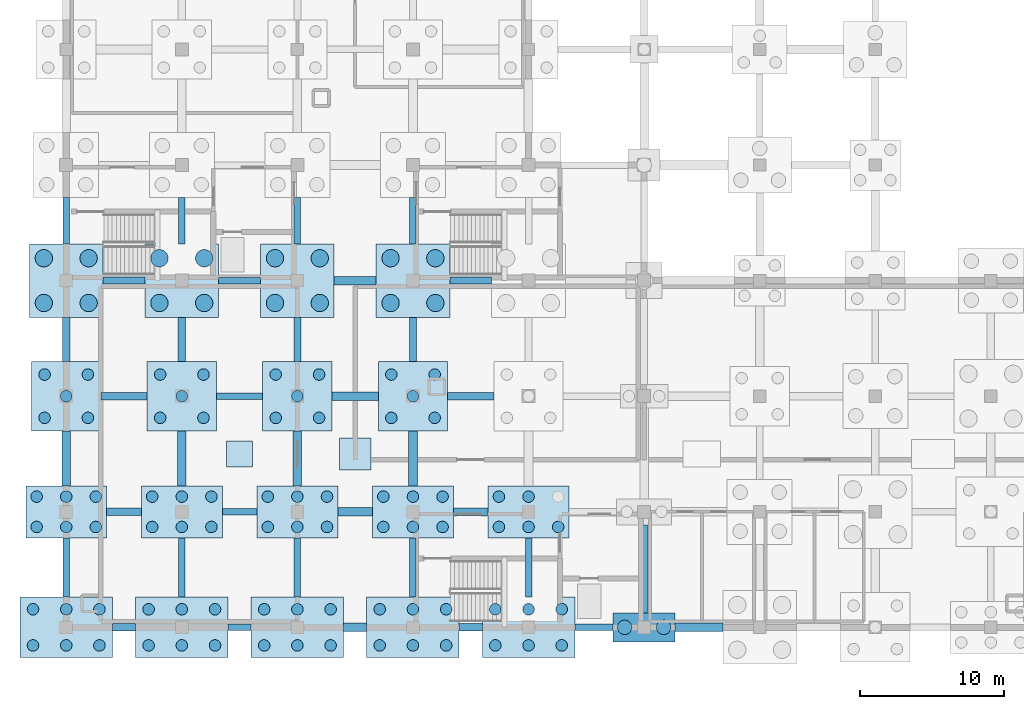
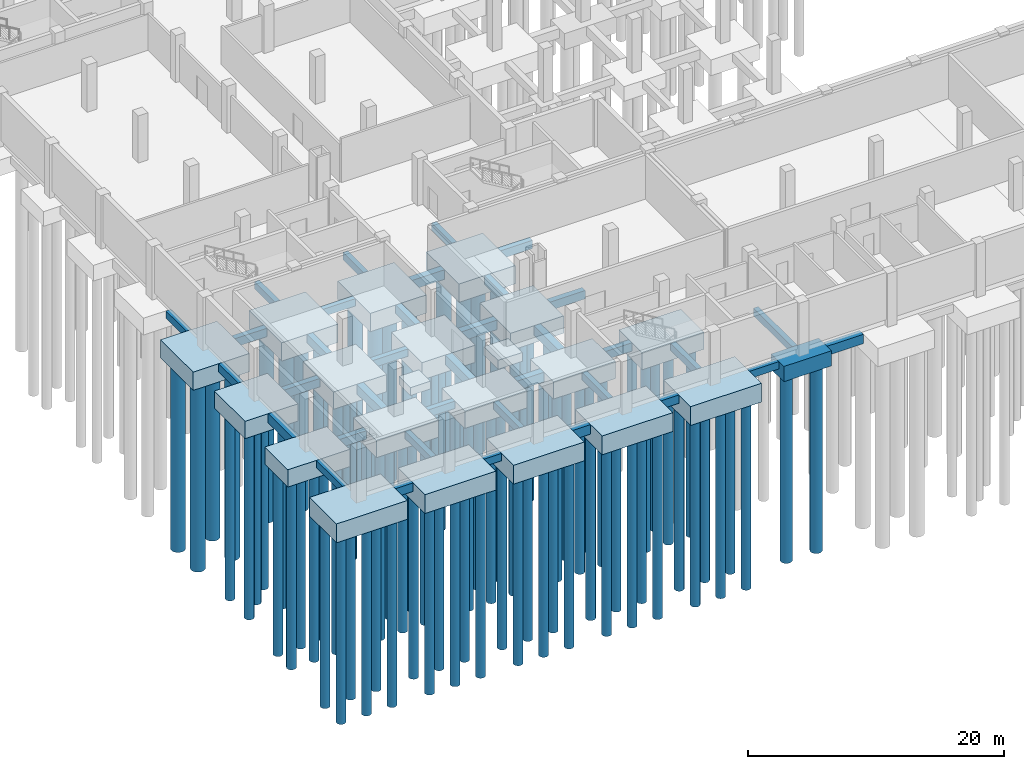
# One storey, part 1 of 26: 97 piles, 57 footings.
"""IFC4 building model written with IfcOpenShell, lengths in metres."""

from ifc_helpers import new_model, si_unit, direction, frame, origin, origin_2d, place, context, subcontext, project, spatial, rectangle, circle, extrude, material, layer, layer_set, material_profile, profile_set, type_object, element, save


model = new_model("IFC4")

# Units and contexts
model_context = context("Model", 3, precision=1e-05, world=origin(), true_north=direction((0.0, 1.0)))
body_context = subcontext(model_context, "Body", "Model", "MODEL_VIEW")
ifc_project = project(units=[si_unit("LENGTHUNIT", "METRE"), si_unit("AREAUNIT", "SQUARE_METRE"), si_unit("VOLUMEUNIT", "CUBIC_METRE"), si_unit("PLANEANGLEUNIT", "RADIAN"), si_unit("MASSUNIT", "GRAM", prefix="KILO")], contexts=[model_context])

# Site, building, storey
site_placement = place(None, origin())
site = spatial("IfcSite", under=ifc_project, at=site_placement, CompositionType="ELEMENT")
building_placement = place(site_placement, origin())
building = spatial("IfcBuilding", under=site, at=building_placement, Name="Qorikala Patio Media Centre", CompositionType="ELEMENT")
storey_placement = place(building_placement, frame((0.0, 0.0, -4.5)))
storey = spatial("IfcBuildingStorey", under=building, at=storey_placement, Name="B1", CompositionType="ELEMENT", Elevation=-4.5)

# Footings
ifc_material = material(Name="Concrete C30/37", Category="concrete")
ifc_material_profile_1 = material_profile(ifc_material, rectangle(XDim=0.449951171875, YDim=0.699951171875, at=origin_2d()), Name="RC 450x700")
ifc_profile_set_1 = profile_set([ifc_material_profile_1], Name="Concrete C30/37")
footing_type_1 = type_object("IfcFootingType", Name="GB-450X700", PredefinedType="FOOTING_BEAM", material=ifc_profile_set_1)
footing_1_placement = place(storey_placement, frame((14.199951171875, 3.0, -0.949951171875), z_axis=(1.0, 0.0, 0.0), x_axis=(0.0, 1.0, 0.0)))
element("IfcFooting", 1, at=footing_1_placement, inside=storey, type_object=footing_type_1, Name="Ground Tie Beam X-002", PredefinedType="FOOTING_BEAM", context=body_context, shape_type="SweptSolid", body=[
    extrude(rectangle(XDim=0.449951171875, YDim=0.699951171875, at=origin_2d()), origin(), (0.0, 0.0, 1.0), 1.60009765625),
])
footing_2_placement = place(storey_placement, frame((38.199951171875, 3.0, -0.949951171875), z_axis=(1.0, 0.0, 0.0), x_axis=(0.0, 1.0, 0.0)))
element("IfcFooting", 2, at=footing_2_placement, inside=storey, type_object=footing_type_1, Name="Ground Tie Beam X-005", PredefinedType="FOOTING_BEAM", context=body_context, shape_type="SweptSolid", body=[
    extrude(rectangle(XDim=0.449951171875, YDim=0.699951171875, at=origin_2d()), origin(), (0.0, 0.0, 1.0), 2.650146484375),
])
footing_3_placement = place(storey_placement, frame((13.800048828125, 11.0, -0.949951171875), z_axis=(1.0, 0.0, 0.0), x_axis=(0.0, 1.0, 0.0)))
element("IfcFooting", 3, at=footing_3_placement, inside=storey, type_object=footing_type_1, Name="Ground Tie Beam X-023", PredefinedType="FOOTING_BEAM", context=body_context, shape_type="SweptSolid", body=[
    extrude(rectangle(XDim=0.449951171875, YDim=0.699951171875, at=origin_2d()), origin(), (0.0, 0.0, 1.0), 2.39990234375),
])
footing_4_placement = place(storey_placement, frame((13.39990234375, 19.0, -0.949951171875), z_axis=(1.0, 0.0, 0.0), x_axis=(0.0, 1.0, 0.0)))
element("IfcFooting", 4, at=footing_4_placement, inside=storey, type_object=footing_type_1, Name="Ground Tie Beam X-044", PredefinedType="FOOTING_BEAM", context=body_context, shape_type="SweptSolid", body=[
    extrude(rectangle(XDim=0.449951171875, YDim=0.699951171875, at=origin_2d()), origin(), (0.0, 0.0, 1.0), 3.2001953125),
])
footing_5_placement = place(storey_placement, frame((13.550048828125, 27.0, -0.949951171875), z_axis=(1.0, 0.0, 0.0), x_axis=(0.0, 1.0, 0.0)))
element("IfcFooting", 5, at=footing_5_placement, inside=storey, type_object=footing_type_1, Name="Ground Tie Beam X-065", PredefinedType="FOOTING_BEAM", context=body_context, shape_type="SweptSolid", body=[
    extrude(rectangle(XDim=0.449951171875, YDim=0.699951171875, at=origin_2d()), origin(), (0.0, 0.0, 1.0), 2.89990234375),
])
footing_6_placement = place(storey_placement, frame((3.0, 5.10009765625, -0.949951171875), z_axis=(0.0, 1.0, 0.0), x_axis=(-1.0, 0.0, 0.0)))
element("IfcFooting", 6, at=footing_6_placement, inside=storey, type_object=footing_type_1, Name="Ground Tie Beam Y-167", PredefinedType="FOOTING_BEAM", context=body_context, shape_type="SweptSolid", body=[
    extrude(rectangle(XDim=0.449951171875, YDim=0.699951171875, at=origin_2d()), origin(), (0.0, 0.0, 1.0), 4.099853515625),
])
footing_7_placement = place(storey_placement, frame((3.0, 29.550048828125, -0.949951171875), z_axis=(0.0, 1.0, 0.0), x_axis=(-1.0, 0.0, 0.0)))
element("IfcFooting", 7, at=footing_7_placement, inside=storey, type_object=footing_type_1, Name="Ground Tie Beam Y-170", PredefinedType="FOOTING_BEAM", context=body_context, shape_type="SweptSolid", body=[
    extrude(rectangle(XDim=0.449951171875, YDim=0.699951171875, at=origin_2d()), origin(), (0.0, 0.0, 1.0), 3.199951171875),
])
footing_8_placement = place(storey_placement, frame((11.0, 5.10009765625, -0.949951171875), z_axis=(0.0, 1.0, 0.0), x_axis=(-1.0, 0.0, 0.0)))
element("IfcFooting", 8, at=footing_8_placement, inside=storey, type_object=footing_type_1, Name="Ground Tie Beam Y-182", PredefinedType="FOOTING_BEAM", context=body_context, shape_type="SweptSolid", body=[
    extrude(rectangle(XDim=0.449951171875, YDim=0.699951171875, at=origin_2d()), origin(), (0.0, 0.0, 1.0), 4.099853515625),
])
footing_9_placement = place(storey_placement, frame((11.0, 29.550048828125, -0.949951171875), z_axis=(0.0, 1.0, 0.0), x_axis=(-1.0, 0.0, 0.0)))
element("IfcFooting", 9, at=footing_9_placement, inside=storey, type_object=footing_type_1, Name="Ground Tie Beam Y-185", PredefinedType="FOOTING_BEAM", context=body_context, shape_type="SweptSolid", body=[
    extrude(rectangle(XDim=0.449951171875, YDim=0.699951171875, at=origin_2d()), origin(), (0.0, 0.0, 1.0), 3.199951171875),
])
footing_10_placement = place(storey_placement, frame((19.0, 5.10009765625, -0.949951171875), z_axis=(0.0, 1.0, 0.0), x_axis=(-1.0, 0.0, 0.0)))
element("IfcFooting", 10, at=footing_10_placement, inside=storey, type_object=footing_type_1, Name="Ground Tie Beam Y-197", PredefinedType="FOOTING_BEAM", context=body_context, shape_type="SweptSolid", body=[
    extrude(rectangle(XDim=0.449951171875, YDim=0.699951171875, at=origin_2d()), origin(), (0.0, 0.0, 1.0), 4.099853515625),
])
footing_11_placement = place(storey_placement, frame((19.0, 29.550048828125, -0.949951171875), z_axis=(0.0, 1.0, 0.0), x_axis=(-1.0, 0.0, 0.0)))
element("IfcFooting", 11, at=footing_11_placement, inside=storey, type_object=footing_type_1, Name="Ground Tie Beam Y-200", PredefinedType="FOOTING_BEAM", context=body_context, shape_type="SweptSolid", body=[
    extrude(rectangle(XDim=0.449951171875, YDim=0.699951171875, at=origin_2d()), origin(), (0.0, 0.0, 1.0), 3.199951171875),
])
footing_12_placement = place(storey_placement, frame((27.0, 5.10009765625, -0.949951171875), z_axis=(0.0, 1.0, 0.0), x_axis=(-1.0, 0.0, 0.0)))
element("IfcFooting", 12, at=footing_12_placement, inside=storey, type_object=footing_type_1, Name="Ground Tie Beam Y-212", PredefinedType="FOOTING_BEAM", context=body_context, shape_type="SweptSolid", body=[
    extrude(rectangle(XDim=0.449951171875, YDim=0.699951171875, at=origin_2d()), origin(), (0.0, 0.0, 1.0), 4.099853515625),
])
footing_13_placement = place(storey_placement, frame((27.0, 29.550048828125, -0.949951171875), z_axis=(0.0, 1.0, 0.0), x_axis=(-1.0, 0.0, 0.0)))
element("IfcFooting", 13, at=footing_13_placement, inside=storey, type_object=footing_type_1, Name="Ground Tie Beam Y-215", PredefinedType="FOOTING_BEAM", context=body_context, shape_type="SweptSolid", body=[
    extrude(rectangle(XDim=0.449951171875, YDim=0.699951171875, at=origin_2d()), origin(), (0.0, 0.0, 1.0), 3.199951171875),
])
footing_14_placement = place(storey_placement, frame((35.0, 5.10009765625, -0.949951171875), z_axis=(0.0, 1.0, 0.0), x_axis=(-1.0, 0.0, 0.0)))
element("IfcFooting", 14, at=footing_14_placement, inside=storey, type_object=footing_type_1, Name="Ground Tie Beam Y-227", PredefinedType="FOOTING_BEAM", context=body_context, shape_type="SweptSolid", body=[
    extrude(rectangle(XDim=0.449951171875, YDim=0.699951171875, at=origin_2d()), origin(), (0.0, 0.0, 1.0), 4.099853515625),
])
footing_15_placement = place(storey_placement, frame((43.0, 4.0, -0.949951171875), z_axis=(0.0, 1.0, 0.0), x_axis=(-1.0, 0.0, 0.0)))
element("IfcFooting", 15, at=footing_15_placement, inside=storey, type_object=footing_type_1, Name="Ground Tie Beam Y-236", PredefinedType="FOOTING_BEAM", context=body_context, shape_type="SweptSolid", body=[
    extrude(rectangle(XDim=0.449951171875, YDim=0.699951171875, at=origin_2d()), origin(), (0.0, 0.0, 1.0), 6.10009765625),
])
ifc_material_profile_2 = material_profile(ifc_material, rectangle(XDim=0.5, YDim=0.800048828125, at=origin_2d()), Name="RC 500x800")
ifc_profile_set_2 = profile_set([ifc_material_profile_2], Name="Concrete C30/37")
footing_type_2 = type_object("IfcFootingType", Name="GB-500X800", PredefinedType="FOOTING_BEAM", material=ifc_profile_set_2)
for number, where, z_axis, x_axis, name in (
    (16, (6.199951171875, 3.0, -1.0), (1.0, 0.0, 0.0), (0.0, 1.0, 0.0), "Ground Tie Beam X-001"),
    (17, (30.199951171875, 3.0, -1.0), (1.0, 0.0, 0.0), (0.0, 1.0, 0.0), "Ground Tie Beam X-004"),
):
    element("IfcFooting", number, at=place(storey_placement, frame(where, z_axis=z_axis, x_axis=x_axis)), inside=storey, type_object=footing_type_2, Name=name, PredefinedType="FOOTING_BEAM", context=body_context, shape_type="SweptSolid", body=[
        extrude(rectangle(XDim=0.5, YDim=0.800048828125, at=origin_2d()), origin(), (0.0, 0.0, 1.0), 1.60009765625),
    ])
for number, where, z_axis, x_axis, name in (
    (18, (5.800048828125, 11.0, -1.0), (1.0, 0.0, 0.0), (0.0, 1.0, 0.0), "Ground Tie Beam X-022"),
    (19, (29.800048828125, 11.0, -1.0), (1.0, 0.0, 0.0), (0.0, 1.0, 0.0), "Ground Tie Beam X-025"),
):
    element("IfcFooting", number, at=place(storey_placement, frame(where, z_axis=z_axis, x_axis=x_axis)), inside=storey, type_object=footing_type_2, Name=name, PredefinedType="FOOTING_BEAM", context=body_context, shape_type="SweptSolid", body=[
        extrude(rectangle(XDim=0.5, YDim=0.800048828125, at=origin_2d()), origin(), (0.0, 0.0, 1.0), 2.39990234375),
    ])
for number, where, z_axis, x_axis, name in (
    (20, (5.39990234375, 19.0, -1.0), (1.0, 0.0, 0.0), (0.0, 1.0, 0.0), "Ground Tie Beam X-043"),
    (21, (29.39990234375, 19.0, -1.0), (1.0, 0.0, 0.0), (0.0, 1.0, 0.0), "Ground Tie Beam X-046"),
):
    element("IfcFooting", number, at=place(storey_placement, frame(where, z_axis=z_axis, x_axis=x_axis)), inside=storey, type_object=footing_type_2, Name=name, PredefinedType="FOOTING_BEAM", context=body_context, shape_type="SweptSolid", body=[
        extrude(rectangle(XDim=0.5, YDim=0.800048828125, at=origin_2d()), origin(), (0.0, 0.0, 1.0), 3.2001953125),
    ])
for number, where, z_axis, x_axis, name in (
    (22, (5.550048828125, 27.0, -1.0), (1.0, 0.0, 0.0), (0.0, 1.0, 0.0), "Ground Tie Beam X-064"),
    (23, (29.550048828125, 27.0, -1.0), (1.0, 0.0, 0.0), (0.0, 1.0, 0.0), "Ground Tie Beam X-067"),
):
    element("IfcFooting", number, at=place(storey_placement, frame(where, z_axis=z_axis, x_axis=x_axis)), inside=storey, type_object=footing_type_2, Name=name, PredefinedType="FOOTING_BEAM", context=body_context, shape_type="SweptSolid", body=[
        extrude(rectangle(XDim=0.5, YDim=0.800048828125, at=origin_2d()), origin(), (0.0, 0.0, 1.0), 2.89990234375),
    ])
for number, where, z_axis, x_axis, name in (
    (24, (3.0, 21.39990234375, -1.0), (0.0, 1.0, 0.0), (-1.0, 0.0, 0.0), "Ground Tie Beam Y-169"),
    (25, (11.0, 21.39990234375, -1.0), (0.0, 1.0, 0.0), (-1.0, 0.0, 0.0), "Ground Tie Beam Y-184"),
    (26, (19.0, 21.39990234375, -1.0), (0.0, 1.0, 0.0), (-1.0, 0.0, 0.0), "Ground Tie Beam Y-199"),
    (27, (27.0, 21.39990234375, -1.0), (0.0, 1.0, 0.0), (-1.0, 0.0, 0.0), "Ground Tie Beam Y-214"),
):
    element("IfcFooting", number, at=place(storey_placement, frame(where, z_axis=z_axis, x_axis=x_axis)), inside=storey, type_object=footing_type_2, Name=name, PredefinedType="FOOTING_BEAM", context=body_context, shape_type="SweptSolid", body=[
        extrude(rectangle(XDim=0.5, YDim=0.800048828125, at=origin_2d()), origin(), (0.0, 0.0, 1.0), 3.050048828125),
    ])
ifc_material_profile_3 = material_profile(ifc_material, rectangle(XDim=0.60009765625, YDim=0.89990234375, at=origin_2d()), Name="RC 600x900")
ifc_profile_set_3 = profile_set([ifc_material_profile_3], Name="Concrete C30/37")
footing_type_3 = type_object("IfcFootingType", Name="GB-600X900", PredefinedType="FOOTING_BEAM", material=ifc_profile_set_3)
footing_16_placement = place(storey_placement, frame((22.199951171875, 3.0, -1.050048828125), z_axis=(1.0, 0.0, 0.0), x_axis=(0.0, 1.0, 0.0)))
element("IfcFooting", 28, at=footing_16_placement, inside=storey, type_object=footing_type_3, Name="Ground Tie Beam X-003", PredefinedType="FOOTING_BEAM", context=body_context, shape_type="SweptSolid", body=[
    extrude(rectangle(XDim=0.60009765625, YDim=0.89990234375, at=origin_2d()), origin(), (0.0, 0.0, 1.0), 1.60009765625),
])
footing_17_placement = place(storey_placement, frame((45.14990234375, 3.0, -1.050048828125), z_axis=(1.0, 0.0, 0.0), x_axis=(0.0, 1.0, 0.0)))
element("IfcFooting", 29, at=footing_17_placement, inside=storey, type_object=footing_type_3, Name="Ground Tie Beam X-006", PredefinedType="FOOTING_BEAM", context=body_context, shape_type="SweptSolid", body=[
    extrude(rectangle(XDim=0.60009765625, YDim=0.89990234375, at=origin_2d()), origin(), (0.0, 0.0, 1.0), 3.300048828125),
])
footing_18_placement = place(storey_placement, frame((21.800048828125, 11.0, -1.050048828125), z_axis=(1.0, 0.0, 0.0), x_axis=(0.0, 1.0, 0.0)))
element("IfcFooting", 30, at=footing_18_placement, inside=storey, type_object=footing_type_3, Name="Ground Tie Beam X-024", PredefinedType="FOOTING_BEAM", context=body_context, shape_type="SweptSolid", body=[
    extrude(rectangle(XDim=0.60009765625, YDim=0.89990234375, at=origin_2d()), origin(), (0.0, 0.0, 1.0), 2.39990234375),
])
footing_19_placement = place(storey_placement, frame((21.39990234375, 19.0, -1.050048828125), z_axis=(1.0, 0.0, 0.0), x_axis=(0.0, 1.0, 0.0)))
element("IfcFooting", 31, at=footing_19_placement, inside=storey, type_object=footing_type_3, Name="Ground Tie Beam X-045", PredefinedType="FOOTING_BEAM", context=body_context, shape_type="SweptSolid", body=[
    extrude(rectangle(XDim=0.60009765625, YDim=0.89990234375, at=origin_2d()), origin(), (0.0, 0.0, 1.0), 3.2001953125),
])
footing_20_placement = place(storey_placement, frame((21.550048828125, 27.0, -1.050048828125), z_axis=(1.0, 0.0, 0.0), x_axis=(0.0, 1.0, 0.0)))
element("IfcFooting", 32, at=footing_20_placement, inside=storey, type_object=footing_type_3, Name="Ground Tie Beam X-066", PredefinedType="FOOTING_BEAM", context=body_context, shape_type="SweptSolid", body=[
    extrude(rectangle(XDim=0.60009765625, YDim=0.89990234375, at=origin_2d()), origin(), (0.0, 0.0, 1.0), 2.89990234375),
])
for number, where, z_axis, x_axis, name in (
    (33, (3.0, 12.800048828125, -1.050048828125), (0.0, 1.0, 0.0), (-1.0, 0.0, 0.0), "Ground Tie Beam Y-168"),
    (34, (11.0, 12.800048828125, -1.050048828125), (0.0, 1.0, 0.0), (-1.0, 0.0, 0.0), "Ground Tie Beam Y-183"),
    (35, (19.0, 12.800048828125, -1.050048828125), (0.0, 1.0, 0.0), (-1.0, 0.0, 0.0), "Ground Tie Beam Y-198"),
    (36, (27.0, 12.800048828125, -1.050048828125), (0.0, 1.0, 0.0), (-1.0, 0.0, 0.0), "Ground Tie Beam Y-213"),
):
    element("IfcFooting", number, at=place(storey_placement, frame(where, z_axis=z_axis, x_axis=x_axis)), inside=storey, type_object=footing_type_3, Name=name, PredefinedType="FOOTING_BEAM", context=body_context, shape_type="SweptSolid", body=[
        extrude(rectangle(XDim=0.60009765625, YDim=0.89990234375, at=origin_2d()), origin(), (0.0, 0.0, 1.0), 3.800048828125),
    ])
ifc_layer_1 = layer(ifc_material, 1.449951171875)
ifc_layer_set_1 = layer_set([ifc_layer_1], Name="Concrete C30/37")
footing_type_4 = type_object("IfcFootingType", Name="PC-2C", PredefinedType="PILE_CAP", material=ifc_layer_set_1)
footing_21_placement = place(storey_placement, frame((43.0, 3.0, -2.0498046875), z_axis=(0.0, 0.0, 1.0), x_axis=(1.0, 0.0, 0.0)))
element("IfcFooting", 37, at=footing_21_placement, inside=storey, type_object=footing_type_4, Name="Pile Cap PC-2C at (43.0,3.0)", PredefinedType="PILE_CAP", context=body_context, shape_type="SweptSolid", body=[
    extrude(rectangle(XDim=4.300048828125, YDim=2.0, at=origin_2d()), origin(), (0.0, 0.0, 1.0), 1.449951171875),
])
ifc_layer_2 = layer(ifc_material, 1.75)
ifc_layer_set_2 = layer_set([ifc_layer_2], Name="Concrete C30/37")
footing_type_5 = type_object("IfcFootingType", Name="PC-4D", PredefinedType="PILE_CAP", material=ifc_layer_set_2)
for number, where, z_axis, x_axis, name in (
    (38, (3.0, 27.0, -2.35009765625), (0.0, 0.0, 1.0), (1.0, 0.0, 0.0), "Pile Cap PC-4D at (3.0,27.0)"),
    (39, (11.0, 27.0, -2.35009765625), (0.0, 0.0, 1.0), (1.0, 0.0, 0.0), "Pile Cap PC-4D at (11.0,27.0)"),
    (40, (19.0, 27.0, -2.35009765625), (0.0, 0.0, 1.0), (1.0, 0.0, 0.0), "Pile Cap PC-4D at (19.0,27.0)"),
    (41, (27.0, 27.0, -2.35009765625), (0.0, 0.0, 1.0), (1.0, 0.0, 0.0), "Pile Cap PC-4D at (27.0,27.0)"),
):
    element("IfcFooting", number, at=place(storey_placement, frame(where, z_axis=z_axis, x_axis=x_axis)), inside=storey, type_object=footing_type_5, Name=name, PredefinedType="PILE_CAP", context=body_context, shape_type="SweptSolid", body=[
        extrude(rectangle(XDim=5.10009765625, YDim=5.10009765625, at=origin_2d()), origin(), (0.0, 0.0, 1.0), 1.75),
    ])
ifc_layer_3 = layer(ifc_material, 1.64990234375)
ifc_layer_set_3 = layer_set([ifc_layer_3], Name="Concrete C30/37")
footing_type_6 = type_object("IfcFootingType", Name="PC-5A", PredefinedType="PILE_CAP", material=ifc_layer_set_3)
for number, where, z_axis, x_axis, name in (
    (42, (3.0, 19.0, -2.25), (0.0, 0.0, 1.0), (1.0, 0.0, 0.0), "Pile Cap PC-5A at (3.0,19.0)"),
    (43, (11.0, 19.0, -2.25), (0.0, 0.0, 1.0), (1.0, 0.0, 0.0), "Pile Cap PC-5A at (11.0,19.0)"),
    (44, (19.0, 19.0, -2.25), (0.0, 0.0, 1.0), (1.0, 0.0, 0.0), "Pile Cap PC-5A at (19.0,19.0)"),
    (45, (27.0, 19.0, -2.25), (0.0, 0.0, 1.0), (1.0, 0.0, 0.0), "Pile Cap PC-5A at (27.0,19.0)"),
):
    element("IfcFooting", number, at=place(storey_placement, frame(where, z_axis=z_axis, x_axis=x_axis)), inside=storey, type_object=footing_type_6, Name=name, PredefinedType="PILE_CAP", context=body_context, shape_type="SweptSolid", body=[
        extrude(rectangle(XDim=4.800048828125, YDim=4.800048828125, at=origin_2d()), origin(), (0.0, 0.0, 1.0), 1.64990234375),
    ])
ifc_layer_4 = layer(ifc_material, 1.64990234375)
ifc_layer_set_4 = layer_set([ifc_layer_4], Name="Concrete C30/37")
footing_type_7 = type_object("IfcFootingType", Name="PC-6A", PredefinedType="PILE_CAP", material=ifc_layer_set_4)
for number, where, z_axis, x_axis, name in (
    (46, (3.0, 11.0, -2.25), (0.0, 0.0, 1.0), (1.0, 0.0, 0.0), "Pile Cap PC-6A at (3.0,11.0)"),
    (47, (11.0, 11.0, -2.25), (0.0, 0.0, 1.0), (1.0, 0.0, 0.0), "Pile Cap PC-6A at (11.0,11.0)"),
    (48, (19.0, 11.0, -2.25), (0.0, 0.0, 1.0), (1.0, 0.0, 0.0), "Pile Cap PC-6A at (19.0,11.0)"),
    (49, (27.0, 11.0, -2.25), (0.0, 0.0, 1.0), (1.0, 0.0, 0.0), "Pile Cap PC-6A at (27.0,11.0)"),
    (50, (35.0, 11.0, -2.25), (0.0, 0.0, 1.0), (1.0, 0.0, 0.0), "Pile Cap PC-6A at (35.0,11.0)"),
):
    element("IfcFooting", number, at=place(storey_placement, frame(where, z_axis=z_axis, x_axis=x_axis)), inside=storey, type_object=footing_type_7, Name=name, PredefinedType="PILE_CAP", context=body_context, shape_type="SweptSolid", body=[
        extrude(rectangle(XDim=5.60009765625, YDim=3.60009765625, at=origin_2d()), origin(), (0.0, 0.0, 1.0), 1.64990234375),
    ])
ifc_layer_5 = layer(ifc_material, 1.800048828125)
ifc_layer_set_5 = layer_set([ifc_layer_5], Name="Concrete C30/37")
footing_type_8 = type_object("IfcFootingType", Name="PC-6B", PredefinedType="PILE_CAP", material=ifc_layer_set_5)
for number, where, z_axis, x_axis, name in (
    (51, (3.0, 3.0, -2.39990234375), (0.0, 0.0, 1.0), (1.0, 0.0, 0.0), "Pile Cap PC-6B at (3.0,3.0)"),
    (52, (11.0, 3.0, -2.39990234375), (0.0, 0.0, 1.0), (1.0, 0.0, 0.0), "Pile Cap PC-6B at (11.0,3.0)"),
    (53, (19.0, 3.0, -2.39990234375), (0.0, 0.0, 1.0), (1.0, 0.0, 0.0), "Pile Cap PC-6B at (19.0,3.0)"),
    (54, (27.0, 3.0, -2.39990234375), (0.0, 0.0, 1.0), (1.0, 0.0, 0.0), "Pile Cap PC-6B at (27.0,3.0)"),
    (55, (35.0, 3.0, -2.39990234375), (0.0, 0.0, 1.0), (1.0, 0.0, 0.0), "Pile Cap PC-6B at (35.0,3.0)"),
):
    element("IfcFooting", number, at=place(storey_placement, frame(where, z_axis=z_axis, x_axis=x_axis)), inside=storey, type_object=footing_type_8, Name=name, PredefinedType="PILE_CAP", context=body_context, shape_type="SweptSolid", body=[
        extrude(rectangle(XDim=6.39990234375, YDim=4.199951171875, at=origin_2d()), origin(), (0.0, 0.0, 1.0), 1.800048828125),
    ])
ifc_layer_6 = layer(ifc_material, 0.75)
ifc_layer_set_6 = layer_set([ifc_layer_6], Name="Concrete C30/37")
footing_type_9 = type_object("IfcFootingType", Name="PF-180", PredefinedType="PAD_FOOTING", material=ifc_layer_set_6)
footing_22_placement = place(storey_placement, frame((15.0, 15.0, -1.35009765625), z_axis=(0.0, 0.0, 1.0), x_axis=(1.0, 0.0, 0.0)))
element("IfcFooting", 56, at=footing_22_placement, inside=storey, type_object=footing_type_9, Name="Courtyard Pad Footing 01", PredefinedType="PAD_FOOTING", context=body_context, shape_type="SweptSolid", body=[
    extrude(rectangle(XDim=1.800048828125, YDim=1.800048828125, at=origin_2d()), origin(), (0.0, 0.0, 1.0), 0.75),
])
ifc_layer_7 = layer(ifc_material, 0.85009765625)
ifc_layer_set_7 = layer_set([ifc_layer_7], Name="Concrete C30/37")
footing_type_10 = type_object("IfcFootingType", Name="PF-220", PredefinedType="PAD_FOOTING", material=ifc_layer_set_7)
footing_23_placement = place(storey_placement, frame((23.0, 15.0, -1.449951171875), z_axis=(0.0, 0.0, 1.0), x_axis=(1.0, 0.0, 0.0)))
element("IfcFooting", 57, at=footing_23_placement, inside=storey, type_object=footing_type_10, Name="Courtyard Pad Footing 02", PredefinedType="PAD_FOOTING", context=body_context, shape_type="SweptSolid", body=[
    extrude(rectangle(XDim=2.199951171875, YDim=2.199951171875, at=origin_2d()), origin(), (0.0, 0.0, 1.0), 0.85009765625),
])

# Piles
ifc_material_profile_4 = material_profile(ifc_material, circle(Radius=0.5, at=origin_2d()), Name="BORED PILE 1000")
ifc_profile_set_4 = profile_set([ifc_material_profile_4], Name="Concrete C30/37")
pile_type_1 = type_object("IfcPileType", Name="PILE-1000", PredefinedType="BORED", material=ifc_profile_set_4)
for number, where, z_axis, x_axis, name in (
    (58, (41.64990234375, 3.0, -1.949951171875), (0.0, 0.0, -1.0), (1.0, 0.0, 0.0), "Bored Pile 0242"),
    (59, (44.35009765625, 3.0, -1.949951171875), (0.0, 0.0, -1.0), (1.0, 0.0, 0.0), "Bored Pile 0243"),
):
    element("IfcPile", number, at=place(storey_placement, frame(where, z_axis=z_axis, x_axis=x_axis)), inside=storey, type_object=pile_type_1, Name=name, PredefinedType="BORED", context=body_context, shape_type="SweptSolid", body=[
        extrude(circle(Radius=0.5, at=origin_2d()), origin(), (0.0, 0.0, 1.0), 18.0),
    ])
ifc_material_profile_5 = material_profile(ifc_material, circle(Radius=0.60009765625, at=origin_2d()), Name="BORED PILE 1200")
ifc_profile_set_5 = profile_set([ifc_material_profile_5], Name="Concrete C30/37")
pile_type_2 = type_object("IfcPileType", Name="PILE-1200", PredefinedType="BORED", material=ifc_profile_set_5)
for number, where, z_axis, x_axis, name in (
    (60, (1.449951171875, 25.449951171875, -2.25), (0.0, 0.0, -1.0), (1.0, 0.0, 0.0), "Bored Pile 0018"),
    (61, (4.550048828125, 25.449951171875, -2.25), (0.0, 0.0, -1.0), (1.0, 0.0, 0.0), "Bored Pile 0019"),
    (62, (1.449951171875, 28.550048828125, -2.25), (0.0, 0.0, -1.0), (1.0, 0.0, 0.0), "Bored Pile 0020"),
    (63, (4.550048828125, 28.550048828125, -2.25), (0.0, 0.0, -1.0), (1.0, 0.0, 0.0), "Bored Pile 0021"),
    (64, (9.449951171875, 25.449951171875, -2.25), (0.0, 0.0, -1.0), (1.0, 0.0, 0.0), "Bored Pile 0068"),
    (65, (12.550048828125, 25.449951171875, -2.25), (0.0, 0.0, -1.0), (1.0, 0.0, 0.0), "Bored Pile 0069"),
    (66, (9.449951171875, 28.550048828125, -2.25), (0.0, 0.0, -1.0), (1.0, 0.0, 0.0), "Bored Pile 0070"),
    (67, (12.550048828125, 28.550048828125, -2.25), (0.0, 0.0, -1.0), (1.0, 0.0, 0.0), "Bored Pile 0071"),
    (68, (17.449951171875, 25.449951171875, -2.25), (0.0, 0.0, -1.0), (1.0, 0.0, 0.0), "Bored Pile 0118"),
    (69, (20.550048828125, 25.449951171875, -2.25), (0.0, 0.0, -1.0), (1.0, 0.0, 0.0), "Bored Pile 0119"),
    (70, (17.449951171875, 28.550048828125, -2.25), (0.0, 0.0, -1.0), (1.0, 0.0, 0.0), "Bored Pile 0120"),
    (71, (20.550048828125, 28.550048828125, -2.25), (0.0, 0.0, -1.0), (1.0, 0.0, 0.0), "Bored Pile 0121"),
    (72, (25.449951171875, 25.449951171875, -2.25), (0.0, 0.0, -1.0), (1.0, 0.0, 0.0), "Bored Pile 0168"),
    (73, (28.550048828125, 25.449951171875, -2.25), (0.0, 0.0, -1.0), (1.0, 0.0, 0.0), "Bored Pile 0169"),
    (74, (25.449951171875, 28.550048828125, -2.25), (0.0, 0.0, -1.0), (1.0, 0.0, 0.0), "Bored Pile 0170"),
    (75, (28.550048828125, 28.550048828125, -2.25), (0.0, 0.0, -1.0), (1.0, 0.0, 0.0), "Bored Pile 0171"),
):
    element("IfcPile", number, at=place(storey_placement, frame(where, z_axis=z_axis, x_axis=x_axis)), inside=storey, type_object=pile_type_2, Name=name, PredefinedType="BORED", context=body_context, shape_type="SweptSolid", body=[
        extrude(circle(Radius=0.60009765625, at=origin_2d()), origin(), (0.0, 0.0, 1.0), 18.0),
    ])
ifc_material_profile_6 = material_profile(ifc_material, circle(Radius=0.39990234375, at=origin_2d()), Name="BORED PILE 800")
ifc_profile_set_6 = profile_set([ifc_material_profile_6], Name="Concrete C30/37")
pile_type_3 = type_object("IfcPileType", Name="PILE-800", PredefinedType="BORED", material=ifc_profile_set_6)
for number, where, z_axis, x_axis, name in (
    (76, (0.699951171875, 1.75, -2.300048828125), (0.0, 0.0, -1.0), (1.0, 0.0, 0.0), "Bored Pile 0001"),
    (77, (3.0, 1.75, -2.300048828125), (0.0, 0.0, -1.0), (1.0, 0.0, 0.0), "Bored Pile 0002"),
    (78, (5.300048828125, 1.75, -2.300048828125), (0.0, 0.0, -1.0), (1.0, 0.0, 0.0), "Bored Pile 0003"),
    (79, (0.699951171875, 4.25, -2.300048828125), (0.0, 0.0, -1.0), (1.0, 0.0, 0.0), "Bored Pile 0004"),
    (80, (3.0, 4.25, -2.300048828125), (0.0, 0.0, -1.0), (1.0, 0.0, 0.0), "Bored Pile 0005"),
    (81, (5.300048828125, 4.25, -2.300048828125), (0.0, 0.0, -1.0), (1.0, 0.0, 0.0), "Bored Pile 0006"),
    (82, (0.949951171875, 9.949951171875, -2.14990234375), (0.0, 0.0, -1.0), (1.0, 0.0, 0.0), "Bored Pile 0007"),
    (83, (3.0, 9.949951171875, -2.14990234375), (0.0, 0.0, -1.0), (1.0, 0.0, 0.0), "Bored Pile 0008"),
    (84, (5.050048828125, 9.949951171875, -2.14990234375), (0.0, 0.0, -1.0), (1.0, 0.0, 0.0), "Bored Pile 0009"),
    (85, (0.949951171875, 12.050048828125, -2.14990234375), (0.0, 0.0, -1.0), (1.0, 0.0, 0.0), "Bored Pile 0010"),
    (86, (3.0, 12.050048828125, -2.14990234375), (0.0, 0.0, -1.0), (1.0, 0.0, 0.0), "Bored Pile 0011"),
    (87, (5.050048828125, 12.050048828125, -2.14990234375), (0.0, 0.0, -1.0), (1.0, 0.0, 0.0), "Bored Pile 0012"),
    (88, (1.5, 17.5, -2.14990234375), (0.0, 0.0, -1.0), (1.0, 0.0, 0.0), "Bored Pile 0013"),
    (89, (4.5, 17.5, -2.14990234375), (0.0, 0.0, -1.0), (1.0, 0.0, 0.0), "Bored Pile 0014"),
    (90, (3.0, 19.0, -2.14990234375), (0.0, 0.0, -1.0), (1.0, 0.0, 0.0), "Bored Pile 0015"),
    (91, (1.5, 20.5, -2.14990234375), (0.0, 0.0, -1.0), (1.0, 0.0, 0.0), "Bored Pile 0016"),
    (92, (4.5, 20.5, -2.14990234375), (0.0, 0.0, -1.0), (1.0, 0.0, 0.0), "Bored Pile 0017"),
    (93, (8.699951171875, 1.75, -2.300048828125), (0.0, 0.0, -1.0), (1.0, 0.0, 0.0), "Bored Pile 0051"),
    (94, (11.0, 1.75, -2.300048828125), (0.0, 0.0, -1.0), (1.0, 0.0, 0.0), "Bored Pile 0052"),
    (95, (13.300048828125, 1.75, -2.300048828125), (0.0, 0.0, -1.0), (1.0, 0.0, 0.0), "Bored Pile 0053"),
    (96, (8.699951171875, 4.25, -2.300048828125), (0.0, 0.0, -1.0), (1.0, 0.0, 0.0), "Bored Pile 0054"),
    (97, (11.0, 4.25, -2.300048828125), (0.0, 0.0, -1.0), (1.0, 0.0, 0.0), "Bored Pile 0055"),
    (98, (13.300048828125, 4.25, -2.300048828125), (0.0, 0.0, -1.0), (1.0, 0.0, 0.0), "Bored Pile 0056"),
    (99, (8.949951171875, 9.949951171875, -2.14990234375), (0.0, 0.0, -1.0), (1.0, 0.0, 0.0), "Bored Pile 0057"),
    (100, (11.0, 9.949951171875, -2.14990234375), (0.0, 0.0, -1.0), (1.0, 0.0, 0.0), "Bored Pile 0058"),
    (101, (13.050048828125, 9.949951171875, -2.14990234375), (0.0, 0.0, -1.0), (1.0, 0.0, 0.0), "Bored Pile 0059"),
    (102, (8.949951171875, 12.050048828125, -2.14990234375), (0.0, 0.0, -1.0), (1.0, 0.0, 0.0), "Bored Pile 0060"),
    (103, (11.0, 12.050048828125, -2.14990234375), (0.0, 0.0, -1.0), (1.0, 0.0, 0.0), "Bored Pile 0061"),
    (104, (13.050048828125, 12.050048828125, -2.14990234375), (0.0, 0.0, -1.0), (1.0, 0.0, 0.0), "Bored Pile 0062"),
    (105, (9.5, 17.5, -2.14990234375), (0.0, 0.0, -1.0), (1.0, 0.0, 0.0), "Bored Pile 0063"),
    (106, (12.5, 17.5, -2.14990234375), (0.0, 0.0, -1.0), (1.0, 0.0, 0.0), "Bored Pile 0064"),
    (107, (11.0, 19.0, -2.14990234375), (0.0, 0.0, -1.0), (1.0, 0.0, 0.0), "Bored Pile 0065"),
    (108, (9.5, 20.5, -2.14990234375), (0.0, 0.0, -1.0), (1.0, 0.0, 0.0), "Bored Pile 0066"),
    (109, (12.5, 20.5, -2.14990234375), (0.0, 0.0, -1.0), (1.0, 0.0, 0.0), "Bored Pile 0067"),
    (110, (16.699951171875, 1.75, -2.300048828125), (0.0, 0.0, -1.0), (1.0, 0.0, 0.0), "Bored Pile 0101"),
    (111, (19.0, 1.75, -2.300048828125), (0.0, 0.0, -1.0), (1.0, 0.0, 0.0), "Bored Pile 0102"),
    (112, (21.300048828125, 1.75, -2.300048828125), (0.0, 0.0, -1.0), (1.0, 0.0, 0.0), "Bored Pile 0103"),
    (113, (16.699951171875, 4.25, -2.300048828125), (0.0, 0.0, -1.0), (1.0, 0.0, 0.0), "Bored Pile 0104"),
    (114, (19.0, 4.25, -2.300048828125), (0.0, 0.0, -1.0), (1.0, 0.0, 0.0), "Bored Pile 0105"),
    (115, (21.300048828125, 4.25, -2.300048828125), (0.0, 0.0, -1.0), (1.0, 0.0, 0.0), "Bored Pile 0106"),
    (116, (16.949951171875, 9.949951171875, -2.14990234375), (0.0, 0.0, -1.0), (1.0, 0.0, 0.0), "Bored Pile 0107"),
    (117, (19.0, 9.949951171875, -2.14990234375), (0.0, 0.0, -1.0), (1.0, 0.0, 0.0), "Bored Pile 0108"),
    (118, (21.050048828125, 9.949951171875, -2.14990234375), (0.0, 0.0, -1.0), (1.0, 0.0, 0.0), "Bored Pile 0109"),
    (119, (16.949951171875, 12.050048828125, -2.14990234375), (0.0, 0.0, -1.0), (1.0, 0.0, 0.0), "Bored Pile 0110"),
    (120, (19.0, 12.050048828125, -2.14990234375), (0.0, 0.0, -1.0), (1.0, 0.0, 0.0), "Bored Pile 0111"),
    (121, (21.050048828125, 12.050048828125, -2.14990234375), (0.0, 0.0, -1.0), (1.0, 0.0, 0.0), "Bored Pile 0112"),
    (122, (17.5, 17.5, -2.14990234375), (0.0, 0.0, -1.0), (1.0, 0.0, 0.0), "Bored Pile 0113"),
    (123, (20.5, 17.5, -2.14990234375), (0.0, 0.0, -1.0), (1.0, 0.0, 0.0), "Bored Pile 0114"),
    (124, (19.0, 19.0, -2.14990234375), (0.0, 0.0, -1.0), (1.0, 0.0, 0.0), "Bored Pile 0115"),
    (125, (17.5, 20.5, -2.14990234375), (0.0, 0.0, -1.0), (1.0, 0.0, 0.0), "Bored Pile 0116"),
    (126, (20.5, 20.5, -2.14990234375), (0.0, 0.0, -1.0), (1.0, 0.0, 0.0), "Bored Pile 0117"),
    (127, (24.699951171875, 1.75, -2.300048828125), (0.0, 0.0, -1.0), (1.0, 0.0, 0.0), "Bored Pile 0151"),
    (128, (27.0, 1.75, -2.300048828125), (0.0, 0.0, -1.0), (1.0, 0.0, 0.0), "Bored Pile 0152"),
    (129, (29.300048828125, 1.75, -2.300048828125), (0.0, 0.0, -1.0), (1.0, 0.0, 0.0), "Bored Pile 0153"),
    (130, (24.699951171875, 4.25, -2.300048828125), (0.0, 0.0, -1.0), (1.0, 0.0, 0.0), "Bored Pile 0154"),
    (131, (27.0, 4.25, -2.300048828125), (0.0, 0.0, -1.0), (1.0, 0.0, 0.0), "Bored Pile 0155"),
    (132, (29.300048828125, 4.25, -2.300048828125), (0.0, 0.0, -1.0), (1.0, 0.0, 0.0), "Bored Pile 0156"),
    (133, (24.949951171875, 9.949951171875, -2.14990234375), (0.0, 0.0, -1.0), (1.0, 0.0, 0.0), "Bored Pile 0157"),
    (134, (27.0, 9.949951171875, -2.14990234375), (0.0, 0.0, -1.0), (1.0, 0.0, 0.0), "Bored Pile 0158"),
    (135, (29.050048828125, 9.949951171875, -2.14990234375), (0.0, 0.0, -1.0), (1.0, 0.0, 0.0), "Bored Pile 0159"),
    (136, (24.949951171875, 12.050048828125, -2.14990234375), (0.0, 0.0, -1.0), (1.0, 0.0, 0.0), "Bored Pile 0160"),
    (137, (27.0, 12.050048828125, -2.14990234375), (0.0, 0.0, -1.0), (1.0, 0.0, 0.0), "Bored Pile 0161"),
    (138, (29.050048828125, 12.050048828125, -2.14990234375), (0.0, 0.0, -1.0), (1.0, 0.0, 0.0), "Bored Pile 0162"),
    (139, (25.5, 17.5, -2.14990234375), (0.0, 0.0, -1.0), (1.0, 0.0, 0.0), "Bored Pile 0163"),
    (140, (28.5, 17.5, -2.14990234375), (0.0, 0.0, -1.0), (1.0, 0.0, 0.0), "Bored Pile 0164"),
    (141, (27.0, 19.0, -2.14990234375), (0.0, 0.0, -1.0), (1.0, 0.0, 0.0), "Bored Pile 0165"),
    (142, (25.5, 20.5, -2.14990234375), (0.0, 0.0, -1.0), (1.0, 0.0, 0.0), "Bored Pile 0166"),
    (143, (28.5, 20.5, -2.14990234375), (0.0, 0.0, -1.0), (1.0, 0.0, 0.0), "Bored Pile 0167"),
    (144, (32.699951171875, 1.75, -2.300048828125), (0.0, 0.0, -1.0), (1.0, 0.0, 0.0), "Bored Pile 0201"),
    (145, (35.0, 1.75, -2.300048828125), (0.0, 0.0, -1.0), (1.0, 0.0, 0.0), "Bored Pile 0202"),
    (146, (37.300048828125, 1.75, -2.300048828125), (0.0, 0.0, -1.0), (1.0, 0.0, 0.0), "Bored Pile 0203"),
    (147, (32.699951171875, 4.25, -2.300048828125), (0.0, 0.0, -1.0), (1.0, 0.0, 0.0), "Bored Pile 0204"),
    (148, (35.0, 4.25, -2.300048828125), (0.0, 0.0, -1.0), (1.0, 0.0, 0.0), "Bored Pile 0205"),
    (149, (37.300048828125, 4.25, -2.300048828125), (0.0, 0.0, -1.0), (1.0, 0.0, 0.0), "Bored Pile 0206"),
    (150, (32.949951171875, 9.949951171875, -2.14990234375), (0.0, 0.0, -1.0), (1.0, 0.0, 0.0), "Bored Pile 0207"),
    (151, (35.0, 9.949951171875, -2.14990234375), (0.0, 0.0, -1.0), (1.0, 0.0, 0.0), "Bored Pile 0208"),
    (152, (37.050048828125, 9.949951171875, -2.14990234375), (0.0, 0.0, -1.0), (1.0, 0.0, 0.0), "Bored Pile 0209"),
    (153, (32.949951171875, 12.050048828125, -2.14990234375), (0.0, 0.0, -1.0), (1.0, 0.0, 0.0), "Bored Pile 0210"),
    (154, (35.0, 12.050048828125, -2.14990234375), (0.0, 0.0, -1.0), (1.0, 0.0, 0.0), "Bored Pile 0211"),
):
    element("IfcPile", number, at=place(storey_placement, frame(where, z_axis=z_axis, x_axis=x_axis)), inside=storey, type_object=pile_type_3, Name=name, PredefinedType="BORED", context=body_context, shape_type="SweptSolid", body=[
        extrude(circle(Radius=0.39990234375, at=origin_2d()), origin(), (0.0, 0.0, 1.0), 18.0),
    ])

save(model, "model.ifc")
